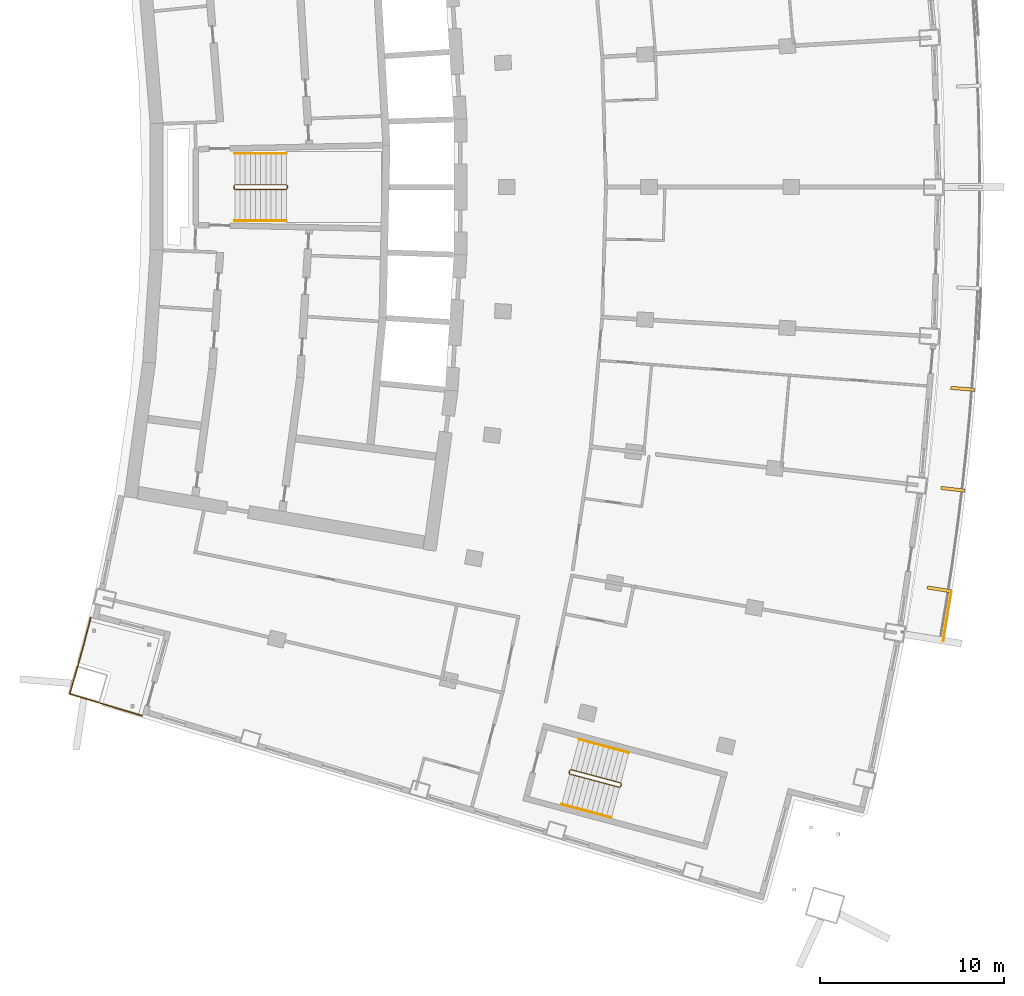
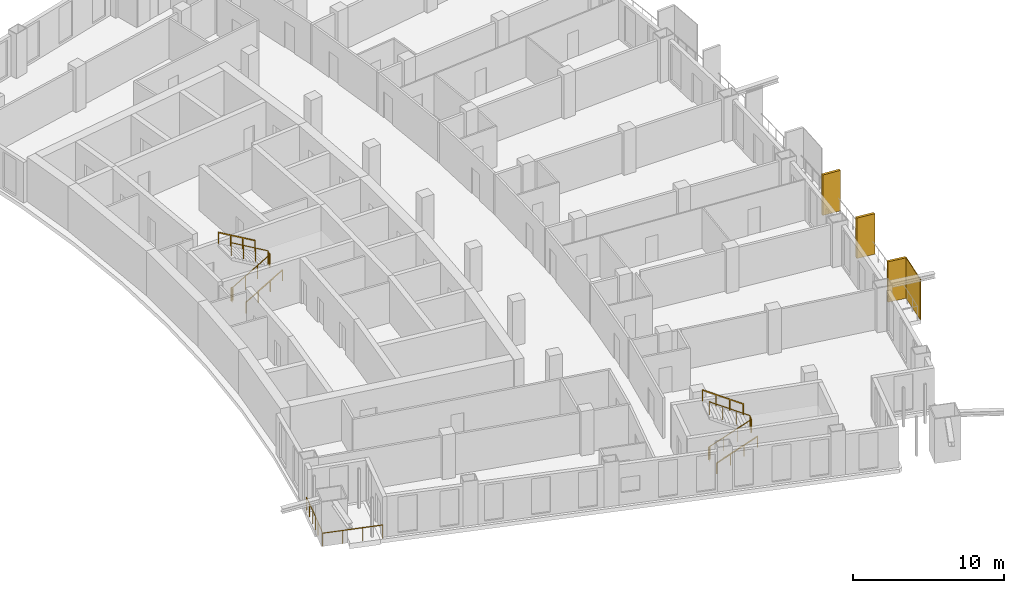
# One storey, part 18 of 20: 7 railings, 4 shading devices.
"""IFC4 building model written with IfcOpenShell, lengths in metres."""

from ifc_helpers import new_model, si_unit, direction, frame, origin, origin_with_axes, origin_2d, place, context, subcontext, project, spatial, rectangle, extrude, material, layer, layer_set, type_object, element, save


model = new_model("IFC4")

# Units and contexts
model_context = context("Model", 3, precision=1e-05, world=origin(), true_north=direction((0.0, 1.0)))
body_context = subcontext(model_context, "Body", "Model", "MODEL_VIEW")
ifc_project = project(units=[si_unit("LENGTHUNIT", "METRE"), si_unit("AREAUNIT", "SQUARE_METRE"), si_unit("VOLUMEUNIT", "CUBIC_METRE"), si_unit("PLANEANGLEUNIT", "RADIAN"), si_unit("MASSUNIT", "GRAM", prefix="KILO")], contexts=[model_context])

# Site, building, storey
site_placement = place(None, origin())
site = spatial("IfcSite", under=ifc_project, at=site_placement, CompositionType="ELEMENT")
building_placement = place(site_placement, origin())
building = spatial("IfcBuilding", under=site, at=building_placement, Name="Alderwake Tower", CompositionType="ELEMENT")
storey_placement = place(building_placement, frame((0.0, 0.0, 178.39990234375)))
storey = spatial("IfcBuildingStorey", under=building, at=storey_placement, Name="L44", CompositionType="ELEMENT", Elevation=178.39990234375)

# Railing
ifc_material_1 = material(Name="Stainless steel 316 rail and posts", Category="steel")
railing_type_1 = type_object("IfcRailingType", Name="Balcony guard 1100", PredefinedType="GUARDRAIL", material=ifc_material_1)
railing_1_placement = place(storey_placement, frame((13.210693359375, 37.612548828125, 0.0)))
element("IfcRailing", 1, at=railing_1_placement, inside=storey, type_object=railing_type_1, Name="Guard terrace RS", PredefinedType="GUARDRAIL", context=body_context, shape_type="SweptSolid", body=[
    extrude(rectangle(XDim=0.048095703125, YDim=0.048095703125, at=origin_2d()), frame((0.0, 0.0, 1.076171875), z_axis=(-0.251385381433, -0.967887075026, 0.0), x_axis=(0.967887075026, -0.251385381433, 0.0)), (0.0, 0.0, 1.0), 1.6015625),
    extrude(rectangle(XDim=0.048095703125, YDim=0.048095703125, at=origin_2d()), frame((-0.402587890625, -1.550048828125, 1.076171875), z_axis=(-0.266520638672, -0.963829211615, 0.0), x_axis=(0.963829211615, -0.266520638672, 0.0)), (0.0, 0.0, 1.0), 1.401611328125),
    extrude(rectangle(XDim=0.048095703125, YDim=0.048095703125, at=origin_2d()), frame((-0.776123046875, -2.90087890625, 1.076171875), z_axis=(-0.280093650878, -0.959972680204, 0.0), x_axis=(0.959972680204, -0.280093650878, 0.0)), (0.0, 0.0, 1.0), 1.30126953125),
    extrude(rectangle(XDim=0.048095703125, YDim=0.048095703125, at=origin_2d()), frame((-1.140625, -4.150146484375, 1.076171875), z_axis=(0.958066871889, -0.286544706789, 0.0), x_axis=(0.286544706789, 0.958066871889, 0.0)), (0.0, 0.0, 1.0), 4.099853515625),
    extrude(rectangle(XDim=0.0419921875, YDim=0.0419921875, at=origin_2d()), frame((0.0, 0.0, 0.0), z_axis=(0.0, 0.0, 1.0), x_axis=(-0.251385381433, -0.967887075026, 0.0)), (0.0, 0.0, 1.0), 1.052001953125),
    extrude(rectangle(XDim=0.0419921875, YDim=0.0419921875, at=origin_2d()), frame((-0.201171875, -0.77490234375, 0.0), z_axis=(0.0, 0.0, 1.0), x_axis=(-0.251385381433, -0.967887075026, 0.0)), (0.0, 0.0, 1.0), 1.052001953125),
    extrude(rectangle(XDim=0.0419921875, YDim=0.0419921875, at=origin_2d()), frame((-0.402587890625, -1.550048828125, 0.0), z_axis=(0.0, 0.0, 1.0), x_axis=(-0.266520638672, -0.963829211615, 0.0)), (0.0, 0.0, 1.0), 1.052001953125),
    extrude(rectangle(XDim=0.0419921875, YDim=0.0419921875, at=origin_2d()), frame((-0.58935546875, -2.2255859375, 0.0), z_axis=(0.0, 0.0, 1.0), x_axis=(-0.266520638672, -0.963829211615, 0.0)), (0.0, 0.0, 1.0), 1.052001953125),
    extrude(rectangle(XDim=0.0419921875, YDim=0.0419921875, at=origin_2d()), frame((-0.776123046875, -2.90087890625, 0.0), z_axis=(0.0, 0.0, 1.0), x_axis=(-0.280093650878, -0.959972680204, 0.0)), (0.0, 0.0, 1.0), 1.052001953125),
    extrude(rectangle(XDim=0.0419921875, YDim=0.0419921875, at=origin_2d()), frame((-1.140625, -4.150146484375, 0.0), z_axis=(0.0, 0.0, 1.0), x_axis=(0.958066871889, -0.286544706789, 0.0)), (0.0, 0.0, 1.0), 1.052001953125),
    extrude(rectangle(XDim=0.0419921875, YDim=0.0419921875, at=origin_2d()), frame((0.168701171875, -4.541748046875, 0.0), z_axis=(0.0, 0.0, 1.0), x_axis=(0.958066871889, -0.286544706789, 0.0)), (0.0, 0.0, 1.0), 1.052001953125),
    extrude(rectangle(XDim=0.0419921875, YDim=0.0419921875, at=origin_2d()), frame((1.47802734375, -4.933349609375, 0.0), z_axis=(0.0, 0.0, 1.0), x_axis=(0.958066871889, -0.286544706789, 0.0)), (0.0, 0.0, 1.0), 1.052001953125),
    extrude(rectangle(XDim=0.0419921875, YDim=0.0419921875, at=origin_2d()), frame((2.787353515625, -5.324951171875, 0.0), z_axis=(0.0, 0.0, 1.0), x_axis=(0.958066871889, -0.286544706789, 0.0)), (0.0, 0.0, 1.0), 1.052001953125),
])

# Shading devices
ifc_material_2 = material(Name="Bronze anodised aluminium", Category="aluminium")
ifc_layer_1 = layer(ifc_material_2, 0.179931640625)
ifc_layer_set_1 = layer_set([ifc_layer_1], Name="Facade fin 1300")
shading_device_type_1 = type_object("IfcShadingDeviceType", Name="Facade fin 1300", PredefinedType="USERDEFINED", material=ifc_layer_set_1)
for number, where, z_axis, x_axis, name in (
    (2, (59.29638671875, 39.148681640625, 0.0), (0.0, 0.0, 1.0), (0.987918787879, -0.154972476771, 0.0), "Fin"),
    (3, (60.041015625, 44.58251953125, 0.0), (0.0, 0.0, 1.0), (0.993198315083, -0.116434990084, 0.0), "Fin"),
    (4, (60.573486328125, 50.041259765625, 0.0), (0.0, 0.0, 1.0), (0.996975122026, -0.077721335943, 0.0), "Fin"),
):
    element("IfcShadingDevice", number, at=place(storey_placement, frame(where, z_axis=z_axis, x_axis=x_axis)), inside=storey, type_object=shading_device_type_1, Name=name, ObjectType="FIN", PredefinedType="USERDEFINED", context=body_context, shape_type="SweptSolid", body=[
        extrude(rectangle(XDim=1.300048828125, YDim=0.179931640625, at=origin_2d()), origin(), (0.0, 0.0, 1.0), 3.280029296875),
    ])
ifc_material_3 = material(Name="Perforated bronze anodised aluminium", Category="aluminium")
ifc_layer_2 = layer(ifc_material_3, 0.050048828125)
ifc_layer_set_2 = layer_set([ifc_layer_2], Name="Perforated screen panel")
shading_device_type_2 = type_object("IfcShadingDeviceType", Name="Perforated screen panel", PredefinedType="USERDEFINED", material=ifc_layer_set_2)
shading_device_placement = place(storey_placement, frame((59.7373046875, 37.688720703125, 0.0), z_axis=(0.0, 0.0, 1.0), x_axis=(0.986369013299, -0.164548380739, 0.0)))
element("IfcShadingDevice", 5, at=shading_device_placement, inside=storey, type_object=shading_device_type_2, Name="Screen panel", ObjectType="SCREEN", PredefinedType="USERDEFINED", context=body_context, shape_type="SweptSolid", body=[
    extrude(rectangle(XDim=0.050048828125, YDim=2.74853515625, at=origin_2d()), origin(), (0.0, 0.0, 1.0), 3.280029296875),
])

# Railings
ifc_material_4 = material(Name="Stainless steel guard", Category="steel")
railing_type_2 = type_object("IfcRailingType", Name="Stair guard 1100", PredefinedType="GUARDRAIL", material=ifc_material_4)
railing_2_placement = place(storey_placement, frame((20.989990234375, 60.925048828125, 0.0)))
element("IfcRailing", 6, at=railing_2_placement, inside=storey, type_object=railing_type_2, Name="L44 ST-B stair guard 1", PredefinedType="GUARDRAIL", context=body_context, shape_type="SweptSolid", body=[
    extrude(rectangle(XDim=0.048095703125, YDim=0.048095703125, at=origin_2d()), frame((0.0, 0.0, 1.076171875), z_axis=(0.0, 1.0, 0.0), x_axis=(-1.0, 0.0, 0.0)), (0.0, 0.0, 1.0), 0.14990234375),
    extrude(rectangle(XDim=0.048095703125, YDim=0.048095703125, at=origin_2d()), frame((0.0, 0.14990234375, 1.076171875), z_axis=(0.190089865108, -0.759432192796, 0.622196582865), x_axis=(0.970072785993, 0.242814311512, 0.0)), (0.0, 0.0, 1.0), 0.26318359375),
    extrude(rectangle(XDim=0.048095703125, YDim=0.048095703125, at=origin_2d()), frame((0.050048828125, -0.050048828125, 1.23974609375), z_axis=(0.863393664356, 0.0, 0.504530851732), x_axis=(0.0, 1.0, 0.0)), (0.0, 0.0, 1.0), 3.2431640625),
    extrude(rectangle(XDim=0.048095703125, YDim=0.048095703125, at=origin_2d()), frame((2.85009765625, -0.050048828125, 2.8759765625), z_axis=(0.705375805398, 0.708833529934, 0.0), x_axis=(-0.708833529934, 0.705375805398, 0.0)), (0.0, 0.0, 1.0), 0.070556640625),
    extrude(rectangle(XDim=0.048095703125, YDim=0.048095703125, at=origin_2d()), frame((2.89990234375, 0.0, 2.8759765625), z_axis=(0.0, 1.0, 0.0), x_axis=(-1.0, 0.0, 0.0)), (0.0, 0.0, 1.0), 0.14990234375),
    extrude(rectangle(XDim=0.048095703125, YDim=0.048095703125, at=origin_2d()), frame((2.89990234375, 0.14990234375, 2.8759765625), z_axis=(-0.279546231943, 0.280916556609, 0.91811752648), x_axis=(-0.708833529934, -0.705375805398, 0.0)), (0.0, 0.0, 1.0), 0.17822265625),
    extrude(rectangle(XDim=0.048095703125, YDim=0.048095703125, at=origin_2d()), frame((2.85009765625, 0.199951171875, 3.03955078125), z_axis=(-0.863360870873, 0.0, 0.504586966384), x_axis=(0.0, -1.0, 0.0)), (0.0, 0.0, 1.0), 3.2431640625),
    extrude(rectangle(XDim=0.0419921875, YDim=0.0419921875, at=origin_2d()), frame((0.0, 0.0, 0.0), z_axis=(0.0, 0.0, 1.0), x_axis=(0.0, 1.0, 0.0)), (0.0, 0.0, 1.0), 1.052001953125),
    extrude(rectangle(XDim=0.0419921875, YDim=0.0419921875, at=origin_2d()), frame((0.0, 0.14990234375, 0.0), z_axis=(0.0, 0.0, 1.0), x_axis=(0.242814311512, -0.970072785993, 0.0)), (0.0, 0.0, 1.0), 1.052001953125),
    extrude(rectangle(XDim=0.0419921875, YDim=0.0419921875, at=origin_2d()), frame((0.050048828125, -0.050048828125, 0.163818359375), z_axis=(0.0, 0.0, 1.0), x_axis=(1.0, 0.0, 0.0)), (0.0, 0.0, 1.0), 1.052001953125),
    extrude(rectangle(XDim=0.0419921875, YDim=0.0419921875, at=origin_2d()), frame((0.9833984375, -0.050048828125, 0.709228515625), z_axis=(0.0, 0.0, 1.0), x_axis=(1.0, 0.0, 0.0)), (0.0, 0.0, 1.0), 1.052001953125),
    extrude(rectangle(XDim=0.0419921875, YDim=0.0419921875, at=origin_2d()), frame((1.916748046875, -0.050048828125, 1.254638671875), z_axis=(0.0, 0.0, 1.0), x_axis=(1.0, 0.0, 0.0)), (0.0, 0.0, 1.0), 1.052001953125),
    extrude(rectangle(XDim=0.0419921875, YDim=0.0419921875, at=origin_2d()), frame((2.85009765625, -0.050048828125, 1.800048828125), z_axis=(0.0, 0.0, 1.0), x_axis=(0.705375805398, 0.708833529934, 0.0)), (0.0, 0.0, 1.0), 1.052001953125),
    extrude(rectangle(XDim=0.0419921875, YDim=0.0419921875, at=origin_2d()), frame((2.89990234375, 0.0, 1.800048828125), z_axis=(0.0, 0.0, 1.0), x_axis=(0.0, 1.0, 0.0)), (0.0, 0.0, 1.0), 1.052001953125),
    extrude(rectangle(XDim=0.0419921875, YDim=0.0419921875, at=origin_2d()), frame((2.89990234375, 0.14990234375, 1.800048828125), z_axis=(0.0, 0.0, 1.0), x_axis=(-0.705375805398, 0.708833529934, 0.0)), (0.0, 0.0, 1.0), 1.052001953125),
    extrude(rectangle(XDim=0.0419921875, YDim=0.0419921875, at=origin_2d()), frame((2.85009765625, 0.199951171875, 1.963623046875), z_axis=(0.0, 0.0, 1.0), x_axis=(-1.0, 0.0, 0.0)), (0.0, 0.0, 1.0), 1.052001953125),
    extrude(rectangle(XDim=0.0419921875, YDim=0.0419921875, at=origin_2d()), frame((1.916748046875, 0.199951171875, 2.509033203125), z_axis=(0.0, 0.0, 1.0), x_axis=(-1.0, 0.0, 0.0)), (0.0, 0.0, 1.0), 1.052001953125),
    extrude(rectangle(XDim=0.0419921875, YDim=0.0419921875, at=origin_2d()), frame((0.9833984375, 0.199951171875, 3.0546875), z_axis=(0.0, 0.0, 1.0), x_axis=(-1.0, 0.0, 0.0)), (0.0, 0.0, 1.0), 1.052001953125),
    extrude(rectangle(XDim=0.0419921875, YDim=0.0419921875, at=origin_2d()), frame((0.050048828125, 0.199951171875, 3.60009765625), z_axis=(0.0, 0.0, 1.0), x_axis=(-1.0, 0.0, 0.0)), (0.0, 0.0, 1.0), 1.052001953125),
])
railing_3_placement = place(storey_placement, frame((39.1943359375, 29.17431640625, 0.0)))
element("IfcRailing", 7, at=railing_3_placement, inside=storey, type_object=railing_type_2, Name="L44 ST-C stair guard 1", PredefinedType="GUARDRAIL", context=body_context, shape_type="SweptSolid", body=[
    extrude(rectangle(XDim=0.048095703125, YDim=0.048095703125, at=origin_2d()), frame((0.0, 0.0, 1.076171875), z_axis=(0.257459803502, 0.966289009345, 0.0), x_axis=(-0.966289009345, 0.257459803502, 0.0)), (0.0, 0.0, 1.0), 0.14990234375),
    extrude(rectangle(XDim=0.048095703125, YDim=0.048095703125, at=origin_2d()), frame((0.03857421875, 0.144775390625, 1.076171875), z_axis=(-0.012055935761, -0.782708444821, 0.622271761226), x_axis=(0.999881397308, -0.015401016783, 0.0)), (0.0, 0.0, 1.0), 0.26318359375),
    extrude(rectangle(XDim=0.048095703125, YDim=0.048095703125, at=origin_2d()), frame((0.035400390625, -0.061279296875, 1.23974609375), z_axis=(0.834313512087, -0.222222637163, 0.504517653885), x_axis=(0.257380452725, 0.966310148221, 0.0)), (0.0, 0.0, 1.0), 3.2431640625),
    extrude(rectangle(XDim=0.048095703125, YDim=0.048095703125, at=origin_2d()), frame((2.7412109375, -0.781982421875, 2.8759765625), z_axis=(0.865031189262, 0.501718089772, 0.0), x_axis=(-0.501718089772, 0.865031189262, 0.0)), (0.0, 0.0, 1.0), 0.070556640625),
    extrude(rectangle(XDim=0.048095703125, YDim=0.048095703125, at=origin_2d()), frame((2.80224609375, -0.74658203125, 2.8759765625), z_axis=(0.257055032184, 0.966396766566, 0.0), x_axis=(-0.966396766566, 0.257055032184, 0.0)), (0.0, 0.0, 1.0), 0.150146484375),
    extrude(rectangle(XDim=0.048095703125, YDim=0.048095703125, at=origin_2d()), frame((2.8408203125, -0.6015625, 2.8759765625), z_axis=(-0.198625291617, 0.343827228937, 0.91778583023), x_axis=(-0.865898279276, -0.500220121494, 0.0)), (0.0, 0.0, 1.0), 0.17822265625),
    extrude(rectangle(XDim=0.048095703125, YDim=0.048095703125, at=origin_2d()), frame((2.805419921875, -0.540283203125, 3.03955078125), z_axis=(-0.834258940753, 0.22222815314, 0.504605457487), x_axis=(-0.257402139082, -0.966304371715, 0.0)), (0.0, 0.0, 1.0), 3.2431640625),
    extrude(rectangle(XDim=0.0419921875, YDim=0.0419921875, at=origin_2d()), frame((0.0, 0.0, 0.0), z_axis=(0.0, 0.0, 1.0), x_axis=(0.257459803502, 0.966289009345, 0.0)), (0.0, 0.0, 1.0), 1.052001953125),
    extrude(rectangle(XDim=0.0419921875, YDim=0.0419921875, at=origin_2d()), frame((0.03857421875, 0.144775390625, 0.0), z_axis=(0.0, 0.0, 1.0), x_axis=(-0.015401016783, -0.999881397308, 0.0)), (0.0, 0.0, 1.0), 1.052001953125),
    extrude(rectangle(XDim=0.0419921875, YDim=0.0419921875, at=origin_2d()), frame((0.035400390625, -0.061279296875, 0.163818359375), z_axis=(0.0, 0.0, 1.0), x_axis=(0.966310148221, -0.257380452725, 0.0)), (0.0, 0.0, 1.0), 1.052001953125),
    extrude(rectangle(XDim=0.0419921875, YDim=0.0419921875, at=origin_2d()), frame((0.937255859375, -0.301513671875, 0.709228515625), z_axis=(0.0, 0.0, 1.0), x_axis=(0.966310148221, -0.257380452725, 0.0)), (0.0, 0.0, 1.0), 1.052001953125),
    extrude(rectangle(XDim=0.0419921875, YDim=0.0419921875, at=origin_2d()), frame((1.83935546875, -0.541748046875, 1.254638671875), z_axis=(0.0, 0.0, 1.0), x_axis=(0.966310148221, -0.257380452725, 0.0)), (0.0, 0.0, 1.0), 1.052001953125),
    extrude(rectangle(XDim=0.0419921875, YDim=0.0419921875, at=origin_2d()), frame((2.7412109375, -0.781982421875, 1.800048828125), z_axis=(0.0, 0.0, 1.0), x_axis=(0.865031189262, 0.501718089772, 0.0)), (0.0, 0.0, 1.0), 1.052001953125),
    extrude(rectangle(XDim=0.0419921875, YDim=0.0419921875, at=origin_2d()), frame((2.80224609375, -0.74658203125, 1.800048828125), z_axis=(0.0, 0.0, 1.0), x_axis=(0.257055032184, 0.966396766566, 0.0)), (0.0, 0.0, 1.0), 1.052001953125),
    extrude(rectangle(XDim=0.0419921875, YDim=0.0419921875, at=origin_2d()), frame((2.8408203125, -0.6015625, 1.800048828125), z_axis=(0.0, 0.0, 1.0), x_axis=(-0.500220121494, 0.865898279276, 0.0)), (0.0, 0.0, 1.0), 1.052001953125),
    extrude(rectangle(XDim=0.0419921875, YDim=0.0419921875, at=origin_2d()), frame((2.805419921875, -0.540283203125, 1.963623046875), z_axis=(0.0, 0.0, 1.0), x_axis=(-0.966304371715, 0.257402139082, 0.0)), (0.0, 0.0, 1.0), 1.052001953125),
    extrude(rectangle(XDim=0.0419921875, YDim=0.0419921875, at=origin_2d()), frame((1.903564453125, -0.300048828125, 2.509033203125), z_axis=(0.0, 0.0, 1.0), x_axis=(-0.966304371715, 0.257402139082, 0.0)), (0.0, 0.0, 1.0), 1.052001953125),
    extrude(rectangle(XDim=0.0419921875, YDim=0.0419921875, at=origin_2d()), frame((1.001708984375, -0.059814453125, 3.0546875), z_axis=(0.0, 0.0, 1.0), x_axis=(-0.966304371715, 0.257402139082, 0.0)), (0.0, 0.0, 1.0), 1.052001953125),
    extrude(rectangle(XDim=0.0419921875, YDim=0.0419921875, at=origin_2d()), frame((0.099853515625, 0.180419921875, 3.60009765625), z_axis=(0.0, 0.0, 1.0), x_axis=(-0.966304371715, 0.257402139082, 0.0)), (0.0, 0.0, 1.0), 1.052001953125),
])
ifc_material_5 = material(Name="Stainless steel handrail", Category="steel")
railing_type_3 = type_object("IfcRailingType", Name="Stair handrail 900", PredefinedType="HANDRAIL", material=ifc_material_5)
railing_4_placement = place(storey_placement, frame((21.0400390625, 59.175048828125, 0.163818359375)))
element("IfcRailing", 8, at=railing_4_placement, inside=storey, type_object=railing_type_3, Name="L44 ST-B stair handrail 1", PredefinedType="HANDRAIL", context=body_context, shape_type="SweptSolid", body=[
    extrude(rectangle(XDim=0.048095703125, YDim=0.048095703125, at=origin_2d()), frame((0.0, 0.0, 0.8759765625), z_axis=(0.863393664356, 0.0, 0.504530851732), x_axis=(0.0, 1.0, 0.0)), (0.0, 0.0, 1.0), 3.2431640625),
    extrude(rectangle(XDim=0.0419921875, YDim=0.0419921875, at=origin_2d()), origin_with_axes(), (0.0, 0.0, 1.0), 0.851806640625),
    extrude(rectangle(XDim=0.0419921875, YDim=0.0419921875, at=origin_2d()), frame((0.933349609375, 0.0, 0.54541015625), z_axis=(0.0, 0.0, 1.0), x_axis=(1.0, 0.0, 0.0)), (0.0, 0.0, 1.0), 0.851806640625),
    extrude(rectangle(XDim=0.0419921875, YDim=0.0419921875, at=origin_2d()), frame((1.86669921875, 0.0, 1.0908203125), z_axis=(0.0, 0.0, 1.0), x_axis=(1.0, 0.0, 0.0)), (0.0, 0.0, 1.0), 0.851806640625),
    extrude(rectangle(XDim=0.0419921875, YDim=0.0419921875, at=origin_2d()), frame((2.800048828125, 0.0, 1.63623046875), z_axis=(0.0, 0.0, 1.0), x_axis=(1.0, 0.0, 0.0)), (0.0, 0.0, 1.0), 0.851806640625),
])
railing_5_placement = place(storey_placement, frame((23.840087890625, 62.824951171875, 1.963623046875)))
element("IfcRailing", 9, at=railing_5_placement, inside=storey, type_object=railing_type_3, Name="L44 ST-B stair handrail 2", PredefinedType="HANDRAIL", context=body_context, shape_type="SweptSolid", body=[
    extrude(rectangle(XDim=0.048095703125, YDim=0.048095703125, at=origin_2d()), frame((0.0, 0.0, 0.8759765625), z_axis=(-0.863360870873, 0.0, 0.504586966384), x_axis=(0.0, -1.0, 0.0)), (0.0, 0.0, 1.0), 3.2431640625),
    extrude(rectangle(XDim=0.0419921875, YDim=0.0419921875, at=origin_2d()), frame((0.0, 0.0, 0.0), z_axis=(0.0, 0.0, 1.0), x_axis=(-1.0, 0.0, 0.0)), (0.0, 0.0, 1.0), 0.851806640625),
    extrude(rectangle(XDim=0.0419921875, YDim=0.0419921875, at=origin_2d()), frame((-0.933349609375, 0.0, 0.54541015625), z_axis=(0.0, 0.0, 1.0), x_axis=(-1.0, 0.0, 0.0)), (0.0, 0.0, 1.0), 0.851806640625),
    extrude(rectangle(XDim=0.0419921875, YDim=0.0419921875, at=origin_2d()), frame((-1.86669921875, 0.0, 1.091064453125), z_axis=(0.0, 0.0, 1.0), x_axis=(-1.0, 0.0, 0.0)), (0.0, 0.0, 1.0), 0.851806640625),
    extrude(rectangle(XDim=0.0419921875, YDim=0.0419921875, at=origin_2d()), frame((-2.800048828125, 0.0, 1.636474609375), z_axis=(0.0, 0.0, 1.0), x_axis=(-1.0, 0.0, 0.0)), (0.0, 0.0, 1.0), 0.851806640625),
])
railing_6_placement = place(storey_placement, frame((38.792236328125, 27.47021484375, 0.163818359375)))
element("IfcRailing", 10, at=railing_6_placement, inside=storey, type_object=railing_type_3, Name="L44 ST-C stair handrail 1", PredefinedType="HANDRAIL", context=body_context, shape_type="SweptSolid", body=[
    extrude(rectangle(XDim=0.048095703125, YDim=0.048095703125, at=origin_2d()), frame((0.0, 0.0, 0.8759765625), z_axis=(0.834304587439, -0.222165027751, 0.504557782442), x_axis=(0.25732071773, 0.966326056891, 0.0)), (0.0, 0.0, 1.0), 3.242919921875),
    extrude(rectangle(XDim=0.0419921875, YDim=0.0419921875, at=origin_2d()), frame((0.0, 0.0, 0.0), z_axis=(0.0, 0.0, 1.0), x_axis=(0.966326056891, -0.25732071773, 0.0)), (0.0, 0.0, 1.0), 0.851806640625),
    extrude(rectangle(XDim=0.0419921875, YDim=0.0419921875, at=origin_2d()), frame((0.90185546875, -0.240234375, 0.54541015625), z_axis=(0.0, 0.0, 1.0), x_axis=(0.966326056891, -0.25732071773, 0.0)), (0.0, 0.0, 1.0), 0.851806640625),
    extrude(rectangle(XDim=0.0419921875, YDim=0.0419921875, at=origin_2d()), frame((1.8037109375, -0.480224609375, 1.0908203125), z_axis=(0.0, 0.0, 1.0), x_axis=(0.966326056891, -0.25732071773, 0.0)), (0.0, 0.0, 1.0), 0.851806640625),
    extrude(rectangle(XDim=0.0419921875, YDim=0.0419921875, at=origin_2d()), frame((2.70556640625, -0.720458984375, 1.63623046875), z_axis=(0.0, 0.0, 1.0), x_axis=(0.966326056891, -0.25732071773, 0.0)), (0.0, 0.0, 1.0), 0.851806640625),
])
railing_7_placement = place(storey_placement, frame((42.437255859375, 30.276611328125, 1.963623046875)))
element("IfcRailing", 11, at=railing_7_placement, inside=storey, type_object=railing_type_3, Name="L44 ST-C stair handrail 2", PredefinedType="HANDRAIL", context=body_context, shape_type="SweptSolid", body=[
    extrude(rectangle(XDim=0.048095703125, YDim=0.048095703125, at=origin_2d()), frame((0.0, 0.0, 0.8759765625), z_axis=(-0.834258940753, 0.22222815314, 0.504605457487), x_axis=(-0.257402139082, -0.966304371715, 0.0)), (0.0, 0.0, 1.0), 3.2431640625),
    extrude(rectangle(XDim=0.0419921875, YDim=0.0419921875, at=origin_2d()), frame((0.0, 0.0, 0.0), z_axis=(0.0, 0.0, 1.0), x_axis=(-0.966304371715, 0.257402139082, 0.0)), (0.0, 0.0, 1.0), 0.851806640625),
    extrude(rectangle(XDim=0.0419921875, YDim=0.0419921875, at=origin_2d()), frame((-0.90185546875, 0.240234375, 0.54541015625), z_axis=(0.0, 0.0, 1.0), x_axis=(-0.966304371715, 0.257402139082, 0.0)), (0.0, 0.0, 1.0), 0.851806640625),
    extrude(rectangle(XDim=0.0419921875, YDim=0.0419921875, at=origin_2d()), frame((-1.8037109375, 0.48046875, 1.091064453125), z_axis=(0.0, 0.0, 1.0), x_axis=(-0.966304371715, 0.257402139082, 0.0)), (0.0, 0.0, 1.0), 0.851806640625),
    extrude(rectangle(XDim=0.0419921875, YDim=0.0419921875, at=origin_2d()), frame((-2.70556640625, 0.720703125, 1.636474609375), z_axis=(0.0, 0.0, 1.0), x_axis=(-0.966304371715, 0.257402139082, 0.0)), (0.0, 0.0, 1.0), 0.851806640625),
])

save(model, "model.ifc")
